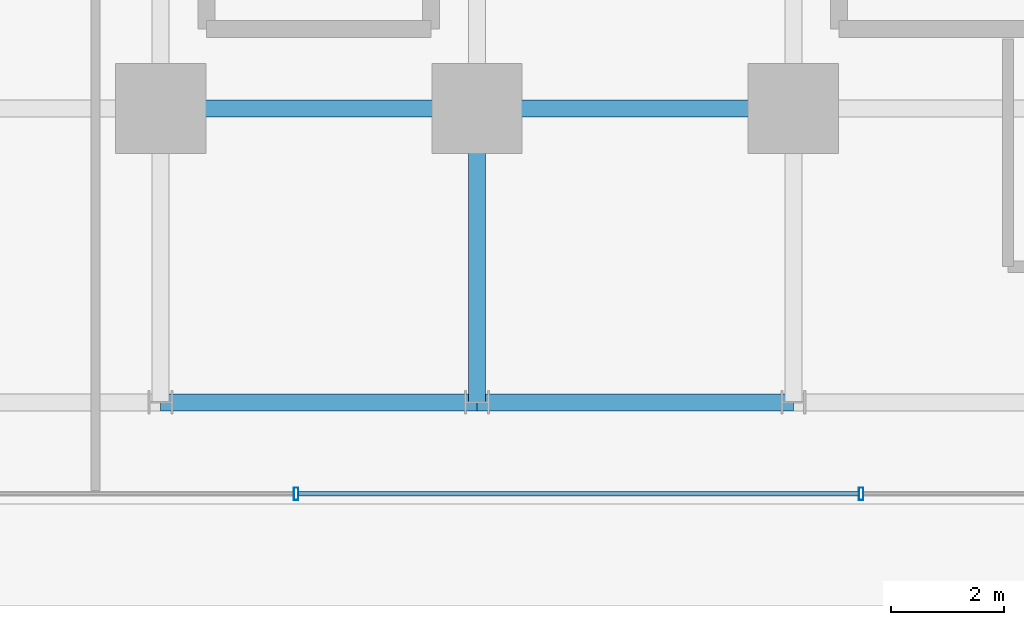
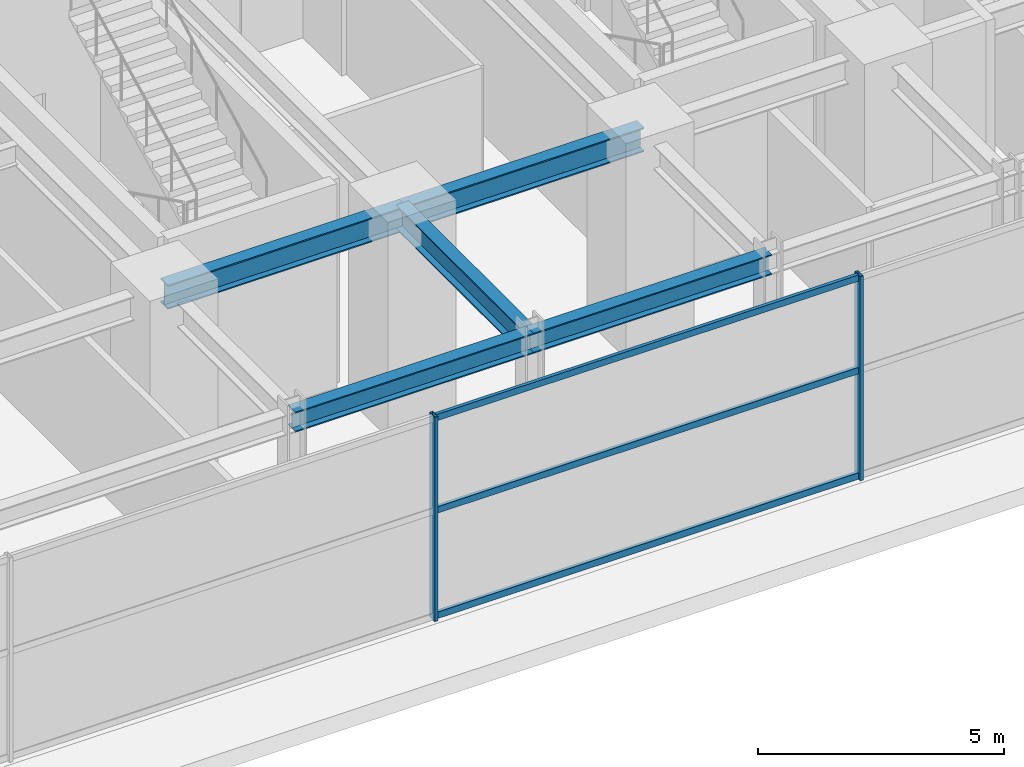
# One storey, part 7 of 29: 5 beams, 5 members, 1 element without a shape of its own.
"""IFC4 building model written with IfcOpenShell, lengths in metres."""

from ifc_helpers import new_model, si_unit, direction, frame, origin, origin_2d, place, context, subcontext, project, spatial, hollow_rectangle, i_section, extrude, source, transform, mapped, material, material_profile, profile_set, type_object, element, aggregate, save


model = new_model("IFC4")

# Units and contexts
model_context = context("Model", 3, precision=1e-05, world=origin(), true_north=direction((0.0, 1.0)))
body_context = subcontext(model_context, "Body", "Model", "MODEL_VIEW")
ifc_project = project(units=[si_unit("LENGTHUNIT", "METRE"), si_unit("AREAUNIT", "SQUARE_METRE"), si_unit("VOLUMEUNIT", "CUBIC_METRE"), si_unit("PLANEANGLEUNIT", "RADIAN"), si_unit("MASSUNIT", "GRAM", prefix="KILO")], contexts=[model_context])

# Site, building, storey
site_placement = place(None, origin())
site = spatial("IfcSite", under=ifc_project, at=site_placement, CompositionType="ELEMENT")
building_placement = place(site_placement, origin())
building = spatial("IfcBuilding", under=site, at=building_placement, Name="Nahalor Promenade Grand Hotel", CompositionType="ELEMENT")
storey_placement = place(building_placement, origin())
storey = spatial("IfcBuildingStorey", under=building, at=storey_placement, Name="L00", CompositionType="ELEMENT", Elevation=0.0)

# Beams
ifc_material_1 = material(Name="Steel S355JR", Category="steel")
ifc_material_profile_1 = material_profile(ifc_material_1, i_section(OverallWidth=0.3, OverallDepth=0.6, WebThickness=0.0155, FlangeThickness=0.03, at=origin_2d()), Name="HEB 600")
ifc_profile_set_1 = profile_set([ifc_material_profile_1], Name="Steel S355JR")
beam_type_1 = type_object("IfcBeamType", Name="Beam-Girder-HEB600", PredefinedType="BEAM", material=ifc_profile_set_1)
shared_shape_1 = source(origin(), body_context, "Body", "SweptSolid", [
    extrude(i_section(OverallWidth=0.3, OverallDepth=0.6, WebThickness=0.0155, FlangeThickness=0.03, at=origin_2d()), origin(), (0.0, 0.0, 1.0), 5.599853515625),
])
beam_1_placement = place(storey_placement, frame((-8.39990234375, -17.0, 4.780029296875), z_axis=(1.0, 0.0, 0.0), x_axis=(0.0, 1.0, 0.0)))
element("IfcBeam", 1, at=beam_1_placement, inside=storey, type_object=beam_type_1, Name="BM-L00-GX-0-3", PredefinedType="BEAM", context=body_context, shape_type="MappedRepresentation", body=[
    mapped(shared_shape_1, transform((0.0, 0.0, 0.0), scale=1.0)),
])
shared_shape_2 = source(origin(), body_context, "Body", "SweptSolid", [
    extrude(i_section(OverallWidth=0.3, OverallDepth=0.6, WebThickness=0.0155, FlangeThickness=0.03, at=origin_2d()), origin(), (0.0, 0.0, 1.0), 5.60009765625),
])
beam_2_placement = place(storey_placement, frame((-2.800048828125, -17.0, 4.780029296875), z_axis=(1.0, 0.0, 0.0), x_axis=(0.0, 1.0, 0.0)))
element("IfcBeam", 2, at=beam_2_placement, inside=storey, type_object=beam_type_1, Name="BM-L00-GX-0-4", PredefinedType="BEAM", context=body_context, shape_type="MappedRepresentation", body=[
    mapped(shared_shape_2, transform((0.0, 0.0, 0.0), scale=1.0)),
])
shared_shape_3 = source(origin(), body_context, "Body", "SweptSolid", [
    extrude(i_section(OverallWidth=0.3, OverallDepth=0.6, WebThickness=0.0155, FlangeThickness=0.03, at=origin_2d()), origin(), (0.0, 0.0, 1.0), 5.199951171875),
])
beam_3_placement = place(storey_placement, frame((-2.800048828125, -22.199951171875, 4.780029296875), z_axis=(0.0, 1.0, 0.0), x_axis=(-1.0, 0.0, 0.0)))
element("IfcBeam", 3, at=beam_3_placement, inside=storey, type_object=beam_type_1, Name="BM-L00-GY-2-0", PredefinedType="BEAM", context=body_context, shape_type="MappedRepresentation", body=[
    mapped(shared_shape_3, transform((0.0, 0.0, 0.0), scale=1.0)),
])
ifc_material_profile_2 = material_profile(ifc_material_1, i_section(OverallWidth=0.3, OverallDepth=0.5, WebThickness=0.0145, FlangeThickness=0.028, at=origin_2d()), Name="HEB 500")
ifc_profile_set_2 = profile_set([ifc_material_profile_2], Name="Steel S355JR")
beam_type_2 = type_object("IfcBeamType", Name="Beam-Spandrel-HEB500", PredefinedType="SPANDREL", material=ifc_profile_set_2)
shared_shape_4 = source(origin(), body_context, "Body", "SweptSolid", [
    extrude(i_section(OverallWidth=0.3, OverallDepth=0.5, WebThickness=0.0145, FlangeThickness=0.028, at=origin_2d()), origin(), (0.0, 0.0, 1.0), 5.599853515625),
])
beam_4_placement = place(storey_placement, frame((-8.39990234375, -22.199951171875, 4.830078125), z_axis=(1.0, 0.0, 0.0), x_axis=(0.0, 1.0, 0.0)))
element("IfcBeam", 4, at=beam_4_placement, inside=storey, type_object=beam_type_2, Name="BM-L00-SP-S-1", PredefinedType="SPANDREL", context=body_context, shape_type="MappedRepresentation", body=[
    mapped(shared_shape_4, transform((0.0, 0.0, 0.0), scale=1.0)),
])
shared_shape_5 = source(origin(), body_context, "Body", "SweptSolid", [
    extrude(i_section(OverallWidth=0.3, OverallDepth=0.5, WebThickness=0.0145, FlangeThickness=0.028, at=origin_2d()), origin(), (0.0, 0.0, 1.0), 5.60009765625),
])
beam_5_placement = place(storey_placement, frame((-2.800048828125, -22.199951171875, 4.830078125), z_axis=(1.0, 0.0, 0.0), x_axis=(0.0, 1.0, 0.0)))
element("IfcBeam", 5, at=beam_5_placement, inside=storey, type_object=beam_type_2, Name="BM-L00-SP-S-2", PredefinedType="SPANDREL", context=body_context, shape_type="MappedRepresentation", body=[
    mapped(shared_shape_5, transform((0.0, 0.0, 0.0), scale=1.0)),
])

# Curtain wall, members
ifc_material_2 = material(Name="Anodised Bronze Aluminium EN AW-6063 T6", Category="aluminium")
curtain_wall_type = type_object("IfcCurtainWallType", Name="CW1 Waterfront Podium Bronze Arcade Curtain Wall", PredefinedType="USERDEFINED", material=ifc_material_2)
curtain_wall_placement = place(storey_placement, origin())
curtain_wall = element("IfcCurtainWall", 6, at=curtain_wall_placement, inside=storey, type_object=curtain_wall_type, Name="L00 Curtain Wall CW-L00-S-MID", ObjectType="UNITISED_CURTAIN_WALL", PredefinedType="USERDEFINED")
ifc_material_profile_3 = material_profile(ifc_material_2, hollow_rectangle(XDim=0.08, YDim=0.22, WallThickness=0.005, at=origin_2d()), Name="CWM 80x220x5")
ifc_profile_set_3 = profile_set([ifc_material_profile_3], Name="Anodised Bronze Aluminium EN AW-6063 T6")
member_type_1 = type_object("IfcMemberType", Name="CWM1 Podium Bronze Mullion 80x220", PredefinedType="MULLION", material=ifc_profile_set_3)
shared_shape_6 = source(origin(), body_context, "Body", "SweptSolid", [
    extrude(hollow_rectangle(XDim=0.08, YDim=0.22, WallThickness=0.005, at=origin_2d()), origin(), (0.0, 0.0, 1.0), 5.080078125),
])
member_1_placement = place(storey_placement, frame((-6.0, -23.820068359375, 0.0), z_axis=(0.0, 0.0, 1.0), x_axis=(1.0, 0.0, 0.0)))
member_1 = element("IfcMember", 7, at=member_1_placement, type_object=member_type_1, Name="CW-L00-S-MID Mullion 2", PredefinedType="MULLION", context=body_context, shape_type="MappedRepresentation", body=[
    mapped(shared_shape_6, transform((0.0, 0.0, 0.0), scale=1.0)),
])
member_2_placement = place(storey_placement, frame((4.0, -23.820068359375, 0.0), z_axis=(0.0, 0.0, 1.0), x_axis=(1.0, 0.0, 0.0)))
member_2 = element("IfcMember", 8, at=member_2_placement, type_object=member_type_1, Name="CW-L00-S-MID Mullion 3", PredefinedType="MULLION", context=body_context, shape_type="MappedRepresentation", body=[
    mapped(shared_shape_6, transform((0.0, 0.0, 0.0), scale=1.0)),
])
ifc_material_profile_4 = material_profile(ifc_material_2, hollow_rectangle(XDim=0.08, YDim=0.16, WallThickness=0.004, at=origin_2d()), Name="CWT 80x160x4")
ifc_profile_set_4 = profile_set([ifc_material_profile_4], Name="Anodised Bronze Aluminium EN AW-6063 T6")
member_type_2 = type_object("IfcMemberType", Name="CWT1 Podium Bronze Transom 80x160", PredefinedType="USERDEFINED", material=ifc_profile_set_4)
shared_shape_7 = source(origin(), body_context, "Body", "SweptSolid", [
    extrude(hollow_rectangle(XDim=0.08, YDim=0.16, WallThickness=0.004, at=origin_2d()), origin(), (0.0, 0.0, 1.0), 9.919921875),
])
member_3_placement = place(storey_placement, frame((-5.9599609375, -23.820068359375, 0.080078125), z_axis=(1.0, 0.0, 0.0), x_axis=(0.0, 1.0, 0.0)))
member_3 = element("IfcMember", 9, at=member_3_placement, type_object=member_type_2, Name="CW-L00-S-MID Transom 2-0", ObjectType="TRANSOM", PredefinedType="USERDEFINED", context=body_context, shape_type="MappedRepresentation", body=[
    mapped(shared_shape_7, transform((0.0, 0.0, 0.0), scale=1.0)),
])
member_4_placement = place(storey_placement, frame((-5.9599609375, -23.820068359375, 2.699951171875), z_axis=(1.0, 0.0, 0.0), x_axis=(0.0, 1.0, 0.0)))
member_4 = element("IfcMember", 10, at=member_4_placement, type_object=member_type_2, Name="CW-L00-S-MID Transom 2-1", ObjectType="TRANSOM", PredefinedType="USERDEFINED", context=body_context, shape_type="MappedRepresentation", body=[
    mapped(shared_shape_7, transform((0.0, 0.0, 0.0), scale=1.0)),
])
member_5_placement = place(storey_placement, frame((-5.9599609375, -23.820068359375, 5.0), z_axis=(1.0, 0.0, 0.0), x_axis=(0.0, 1.0, 0.0)))
member_5 = element("IfcMember", 11, at=member_5_placement, type_object=member_type_2, Name="CW-L00-S-MID Transom 2-2", ObjectType="TRANSOM", PredefinedType="USERDEFINED", context=body_context, shape_type="MappedRepresentation", body=[
    mapped(shared_shape_7, transform((0.0, 0.0, 0.0), scale=1.0)),
])
aggregate(curtain_wall, [member_1, member_2, member_3, member_4, member_5])

save(model, "model.ifc")
